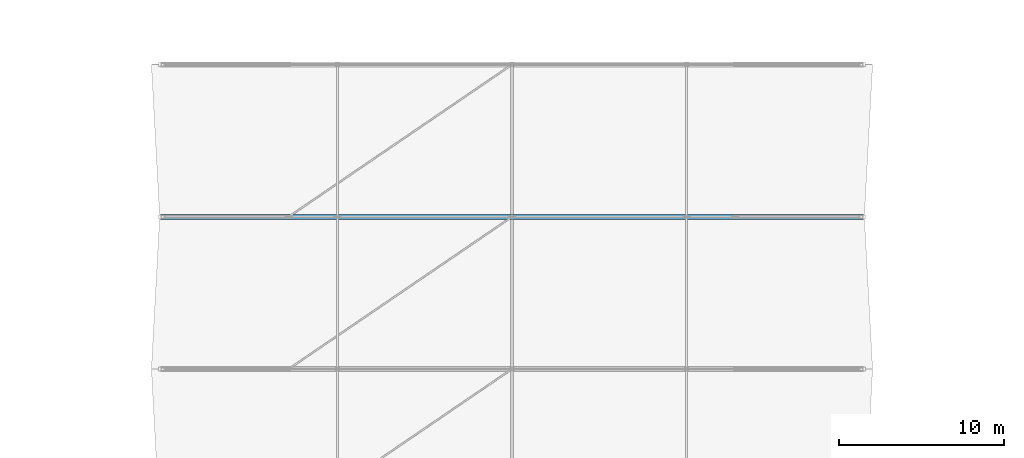
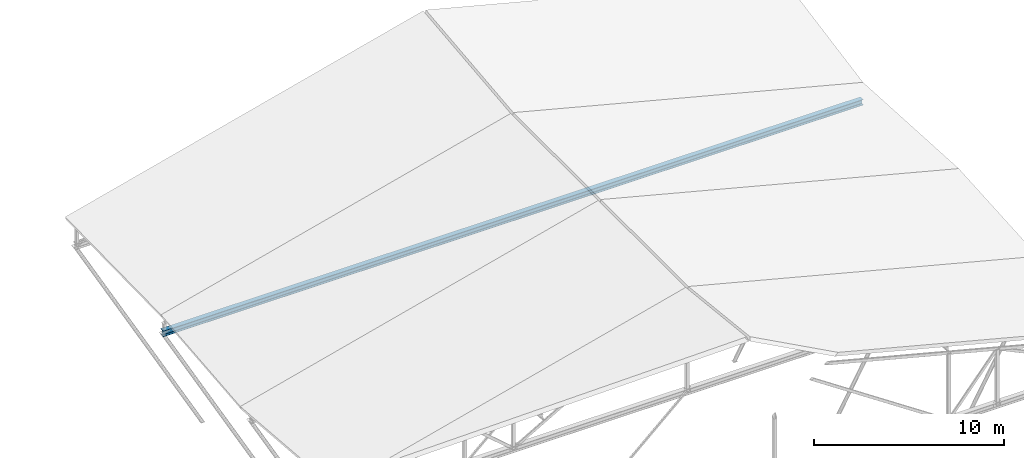
# One storey, part 18 of 56: 1 beam.
"""IFC4 building model written with IfcOpenShell, lengths in metres."""

from ifc_helpers import new_model, si_unit, direction, frame, origin, origin_2d, place, context, subcontext, project, spatial, i_section, extrude, material, material_profile, profile_set, type_object, element, save


model = new_model("IFC4")

# Units and contexts
model_context = context("Model", 3, precision=1e-05, world=origin(), true_north=direction((0.0, 1.0)))
body_context = subcontext(model_context, "Body", "Model", "MODEL_VIEW")
ifc_project = project(units=[si_unit("LENGTHUNIT", "METRE"), si_unit("AREAUNIT", "SQUARE_METRE"), si_unit("VOLUMEUNIT", "CUBIC_METRE"), si_unit("PLANEANGLEUNIT", "RADIAN"), si_unit("MASSUNIT", "GRAM", prefix="KILO")], contexts=[model_context])

# Site, building, storey
site_placement = place(None, origin())
site = spatial("IfcSite", under=ifc_project, at=site_placement, CompositionType="ELEMENT")
building_placement = place(site_placement, origin())
building = spatial("IfcBuilding", under=site, at=building_placement, Name="Bozkorgan Art Gallery", CompositionType="ELEMENT")
storey_placement = place(building_placement, frame((0.0, 0.0, 24.0)))
storey = spatial("IfcBuildingStorey", under=building, at=storey_placement, Name="L05", CompositionType="ELEMENT", Elevation=24.0)

# Beam
ifc_material = material(Name="Steel S355J2", Category="steel")
ifc_material_profile = material_profile(ifc_material, i_section(OverallWidth=0.300048828125, OverallDepth=0.360107421875, WebThickness=0.012451171875, FlangeThickness=0.0224609375, FilletRadius=0.027099609375, at=origin_2d()), Name="HEB 360")
ifc_profile_set = profile_set([ifc_material_profile], Name="Steel S355J2")
beam_type = type_object("IfcBeamType", Name="BEAM-TO-26", PredefinedType="BEAM", material=ifc_profile_set)
beam_placement = place(storey_placement, frame((66.260009765625, 75.199951171875, 0.179931640625), z_axis=(1.0, 0.0, 0.0), x_axis=(0.0, 1.0, 0.0)))
element("IfcBeam", 1, at=beam_placement, inside=storey, type_object=beam_type, Name="ROOF-V4-MAIN roof truss 4 bottom chord", PredefinedType="BEAM", context=body_context, shape_type="SweptSolid", body=[
    extrude(i_section(OverallWidth=0.300048828125, OverallDepth=0.360107421875, WebThickness=0.012451171875, FlangeThickness=0.0224609375, FilletRadius=0.027099609375, at=origin_2d()), origin(), (0.0, 0.0, 1.0), 42.47998046875),
])

save(model, "model.ifc")
